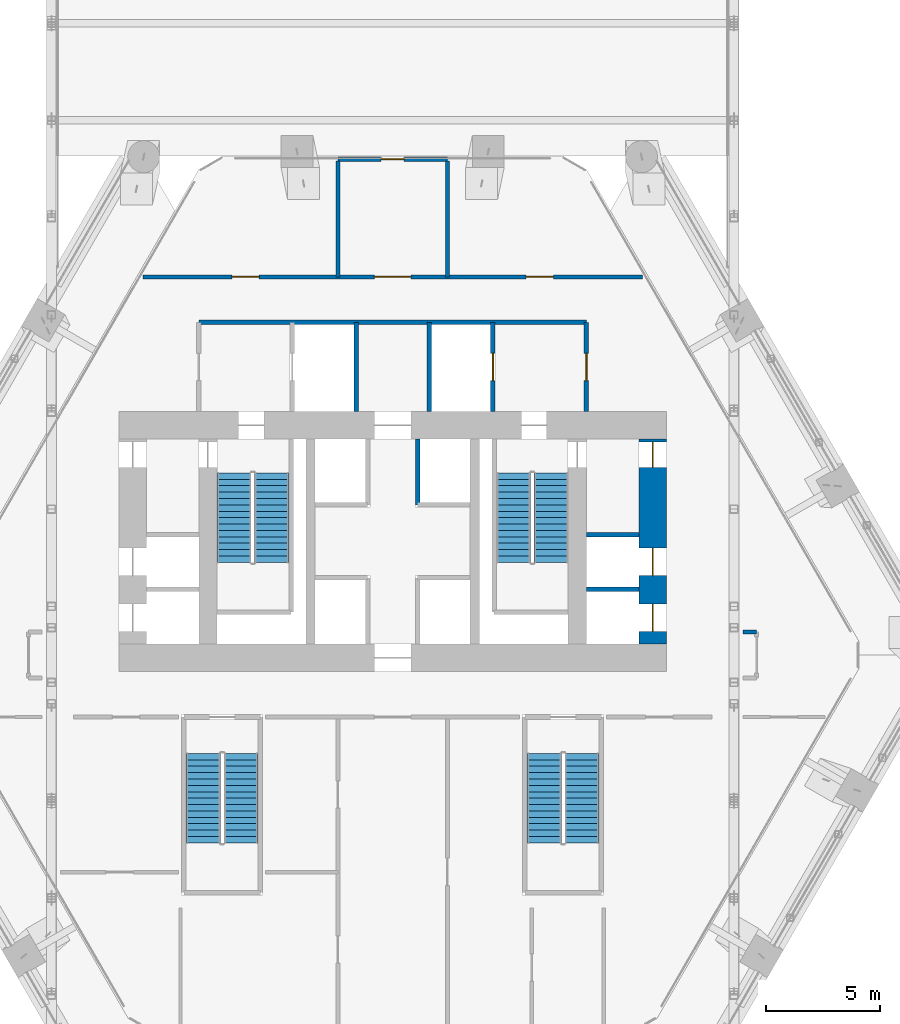
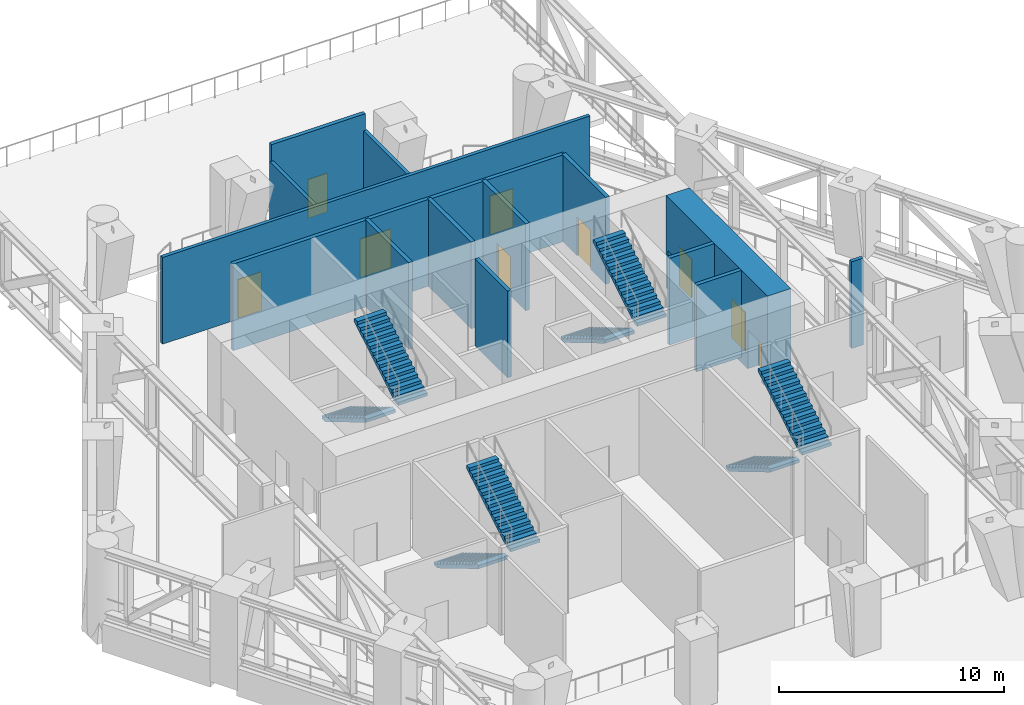
# One storey, part 10 of 20: 14 walls, 9 doors, 8 stair flights, 9 openings, 4 elements without a shape of their own.
"""IFC4 building model written with IfcOpenShell, lengths in metres."""

import ifcopenshell
import ifcopenshell.guid

model = None  # the IFC model being written
_history = None  # IfcOwnerHistory: only IFC2X3 demands one
_inside = {}  # id of a spatial element -> (the spatial element, [elements in it])
_under = {}  # id of a project, library or spatial element -> (it, [spatial elements below it])
_declared = {}  # id of a project -> (the project, [libraries it declares])
_typed = {}  # id of a type object -> (the type object, [elements of that type])
_made_of = {}  # id of a material, layer set ... -> (it, [elements and type objects made of it])


def new_model(schema):
    """Start an empty IFC model of exactly this schema.

    Asked for "IFC4X3", IfcOpenShell would pick the latest addendum, in which some entities
    have other attributes; the version numbers below select the first issue.
    IFC2X3 requires an IfcOwnerHistory on every rooted entity: one is made here for all.
    """
    global model, _history
    if schema == "IFC4X3":
        model = ifcopenshell.file(schema_version=(4, 3, 0, 0))
    else:
        model = ifcopenshell.file(schema=schema)
    _inside.clear()
    _under.clear()
    _declared.clear()
    _typed.clear()
    _made_of.clear()
    _history = None
    if model.schema == "IFC2X3":
        org = make("IfcOrganization", Name="unknown")
        user = make(
            "IfcPersonAndOrganization",
            ThePerson=make("IfcPerson", FamilyName="unknown"),
            TheOrganization=org,
        )
        app = make(
            "IfcApplication",
            ApplicationDeveloper=org,
            Version="unknown",
            ApplicationFullName="unknown",
            ApplicationIdentifier="unknown",
        )
        _history = make(
            "IfcOwnerHistory",
            OwningUser=user,
            OwningApplication=app,
            ChangeAction="ADDED",
            CreationDate=0,
        )
    return model


def make(cls, **values):
    """One entity of the class cls with the attributes given. An attribute that is None is left unset."""
    return model.create_entity(
        cls, **{name: value for name, value in values.items() if value is not None}
    )


def rooted(cls, **values):
    """An entity with a GlobalId (a new one), such as an element, a storey or a relation."""
    return make(cls, GlobalId=ifcopenshell.guid.new(), OwnerHistory=_history, **values)


def si_unit(unit_type, name, prefix=None):
    """IfcSIUnit, for example si_unit("LENGTHUNIT", "METRE", prefix="MILLI")."""
    return make("IfcSIUnit", UnitType=unit_type, Prefix=prefix, Name=name)


def assignment(units):
    """IfcUnitAssignment: the units of a project."""
    return None if units is None else make("IfcUnitAssignment", Units=units)


def point(xyz):
    """IfcCartesianPoint."""
    return None if xyz is None else make("IfcCartesianPoint", Coordinates=xyz)


def direction(xyz):
    """IfcDirection."""
    return None if xyz is None else make("IfcDirection", DirectionRatios=xyz)


def frame(location, z_axis=None, x_axis=None):
    """IfcAxis2Placement3D, a coordinate frame: its origin and axes. An axis left out is left unset."""
    return make(
        "IfcAxis2Placement3D",
        Location=point(location),
        Axis=direction(z_axis),
        RefDirection=direction(x_axis),
    )


def frame_2d(location, x_axis=None):
    """IfcAxis2Placement2D, a coordinate frame in the plane: its origin and x axis."""
    return make(
        "IfcAxis2Placement2D", Location=point(location), RefDirection=direction(x_axis)
    )


def origin():
    """The frame at (0, 0, 0) with its axes left unset."""
    return frame((0.0, 0.0, 0.0))


def place(relative_to, where):
    """IfcLocalPlacement: puts the frame where relative to a parent placement (None: the world)."""
    return make(
        "IfcLocalPlacement", PlacementRelTo=relative_to, RelativePlacement=where
    )


def context(
    kind, dimensions, precision=None, world=None, true_north=None, identifier=None
):
    """IfcGeometricRepresentationContext, for example the 3D "Model" context."""
    return make(
        "IfcGeometricRepresentationContext",
        ContextIdentifier=identifier,
        ContextType=kind,
        CoordinateSpaceDimension=dimensions,
        Precision=precision,
        WorldCoordinateSystem=world,
        TrueNorth=true_north,
    )


def subcontext(parent, identifier, kind, view, scale=None):
    """IfcGeometricRepresentationSubContext, for example "Body" below "Model"."""
    return make(
        "IfcGeometricRepresentationSubContext",
        ContextIdentifier=identifier,
        ContextType=kind,
        ParentContext=parent,
        TargetScale=scale,
        TargetView=view,
    )


def project(units=None, contexts=None):
    """IfcProject with its units and contexts."""
    return rooted(
        "IfcProject",
        Name="project",
        RepresentationContexts=contexts,
        UnitsInContext=assignment(units),
    )


def spatial(cls, under=None, at=None, **own):
    """A site, building, storey or space (cls), placed at a placement, below another one or the project."""
    s = rooted(cls, ObjectPlacement=at, **own)
    if under is not None:
        _under.setdefault(under.id(), (under, []))[1].append(s)
    return s


def polyline(points):
    """IfcPolyline through the points."""
    return make("IfcPolyline", Points=[point(p) for p in points])


def profile(cls, at=None, kind="AREA", **sizes):
    """A parametric profile (cls). Its sizes go by their IFC names, for example OverallWidth=200.0."""
    return make(cls, ProfileType=kind, Position=at, **sizes)


def rectangle(**sizes):
    """IfcRectangleProfileDef."""
    return profile("IfcRectangleProfileDef", **sizes)


def outline(outer, holes=None, kind="AREA"):
    """IfcArbitraryClosedProfileDef: a profile drawn as a closed curve; with holes, ...WithVoids."""
    if holes is None:
        return make("IfcArbitraryClosedProfileDef", ProfileType=kind, OuterCurve=outer)
    return make(
        "IfcArbitraryProfileDefWithVoids",
        ProfileType=kind,
        OuterCurve=outer,
        InnerCurves=holes,
    )


def extrude(swept, where, along, depth):
    """IfcExtrudedAreaSolid: the profile swept, set in the frame where, extruded along a direction by depth."""
    return make(
        "IfcExtrudedAreaSolid",
        SweptArea=swept,
        Position=where,
        ExtrudedDirection=direction(along),
        Depth=depth,
    )


def shape(context_of_items, identifier, shape_type, items):
    """IfcShapeRepresentation: the items that make up one representation, for example the "Body"."""
    return make(
        "IfcShapeRepresentation",
        ContextOfItems=context_of_items,
        RepresentationIdentifier=identifier,
        RepresentationType=shape_type,
        Items=items,
    )


def material(Name=None, Category=None):
    """IfcMaterial."""
    return make("IfcMaterial", Name=Name, Category=Category)


def layer(
    of_material, thickness, ventilated=None, Name=None, Category=None, Priority=None
):
    """IfcMaterialLayer: one layer of a wall or slab, of a material (None: an air gap)."""
    return make(
        "IfcMaterialLayer",
        Material=of_material,
        LayerThickness=thickness,
        IsVentilated=ventilated,
        Name=Name,
        Category=Category,
        Priority=Priority,
    )


def layer_set(layers, Name=None):
    """IfcMaterialLayerSet."""
    return make("IfcMaterialLayerSet", MaterialLayers=layers, LayerSetName=Name)


def made_of(thing, what):
    """Note that an element or type object is made of a material, layer set ...; save() writes the relation."""
    if what is not None:
        _made_of.setdefault(what.id(), (what, []))[1].append(thing)
    return thing


def type_object(cls, material=None, **own):
    """A type object (cls), such as IfcWallType, which elements share."""
    return made_of(rooted(cls, **own), material)


def element(
    cls,
    number,
    at=None,
    inside=None,
    cuts=None,
    type_object=None,
    material=None,
    context=None,
    identifier="Body",
    shape_type=None,
    held_by="IfcProductDefinitionShape",
    body=None,
    shapes=None,
    **own,
):
    """One element of the class cls, such as IfcWall. Its Tag is "e" and its number.

    at: its placement. inside: the storey or other place that contains it. cuts: it is an
    opening in that element (IfcRelVoidsElement). A single representation is given by context,
    identifier, shape_type and body (its items); several are given by shapes. held_by: the class
    of the entity that holds the representations. save() writes the other relations.
    """
    e = rooted(cls, Tag="e%d" % number, ObjectPlacement=at, **own)
    if body is not None:
        shapes = [shape(context, identifier, shape_type, body)]
    if shapes is not None:
        e.Representation = make(held_by, Representations=shapes)
    if inside is not None:
        _inside.setdefault(inside.id(), (inside, []))[1].append(e)
    if cuts is not None:
        rooted(
            "IfcRelVoidsElement", RelatingBuildingElement=cuts, RelatedOpeningElement=e
        )
    if type_object is not None:
        _typed.setdefault(type_object.id(), (type_object, []))[1].append(e)
    return made_of(e, material)


def fill(opening, filler):
    """IfcRelFillsElement: the door or window that sits in an opening."""
    return rooted(
        "IfcRelFillsElement",
        RelatingOpeningElement=opening,
        RelatedBuildingElement=filler,
    )


def aggregate(whole, parts):
    """IfcRelAggregates: a whole, such as a stair, and the parts it consists of."""
    return rooted("IfcRelAggregates", RelatingObject=whole, RelatedObjects=parts)


def save(model, path):
    """Write the relations noted so far, then the file.

    IfcRelAggregates (storeys below a building ...), IfcRelContainedInSpatialStructure (elements
    in a storey), IfcRelDefinesByType, IfcRelAssociatesMaterial and IfcRelDeclares: one each for
    every whole, place, type object, material and project.
    """
    for whole, parts in _under.values():
        aggregate(whole, parts)
    for where, things in _inside.values():
        rooted(
            "IfcRelContainedInSpatialStructure",
            RelatedElements=things,
            RelatingStructure=where,
        )
    for kind, things in _typed.values():
        rooted("IfcRelDefinesByType", RelatedObjects=things, RelatingType=kind)
    for what, things in _made_of.values():
        rooted("IfcRelAssociatesMaterial", RelatedObjects=things, RelatingMaterial=what)
    for by, libraries in _declared.values():
        rooted("IfcRelDeclares", RelatingContext=by, RelatedDefinitions=libraries)
    model.write(path)


model = new_model("IFC4")

# Units and contexts
model_context = context("Model", 3, precision=1e-05, world=origin(), true_north=direction((0.0, 1.0)))
body_context = subcontext(model_context, "Body", "Model", "MODEL_VIEW")
ifc_project = project(units=[si_unit("LENGTHUNIT", "METRE"), si_unit("AREAUNIT", "SQUARE_METRE"), si_unit("VOLUMEUNIT", "CUBIC_METRE"), si_unit("PLANEANGLEUNIT", "RADIAN"), si_unit("MASSUNIT", "GRAM", prefix="KILO")], contexts=[model_context])

# Site, building, storey
site_placement = place(None, origin())
site = spatial("IfcSite", under=ifc_project, at=site_placement, CompositionType="ELEMENT")
building_placement = place(site_placement, origin())
building = spatial("IfcBuilding", under=site, at=building_placement, Name="Ostrander Bayou Hotel Tower", CompositionType="ELEMENT")
storey_placement = place(building_placement, frame((0.0, 0.0, 80.5)))
storey = spatial("IfcBuildingStorey", under=building, at=storey_placement, Name="L20", CompositionType="ELEMENT", Elevation=80.5)

# Wall, openings, doors
ifc_material_1 = material(Name="Concrete f'c 70 MPa", Category="concrete")
ifc_layer_1 = layer(ifc_material_1, 1.199951171875)
ifc_layer_set_1 = layer_set([ifc_layer_1], Name="CW1 core wall 1200 mm f'c 70 MPa")
wall_type_1 = type_object("IfcWallType", Name="CW1 core wall 1200 mm f'c 70 MPa", PredefinedType="SHEAR", material=ifc_layer_set_1)
wall_1_placement = place(storey_placement, frame((11.39990234375, -0.5, -0.300048828125), z_axis=(0.0, 0.0, 1.0), x_axis=(0.0, 1.0, 0.0)))
wall_1 = element("IfcWall", 1, at=wall_1_placement, inside=storey, type_object=wall_type_1, Name="CW1 L20 RE", PredefinedType="SHEAR", context=body_context, shape_type="SweptSolid", body=[
    extrude(rectangle(XDim=9.0, YDim=1.199951171875, at=frame_2d((4.5, 0.0))), origin(), (0.0, 0.0, 1.0), 5.0),
])
opening_1_placement = place(wall_1_placement, frame((7.75, 0.0, 0.0)))
opening_1 = element("IfcOpeningElement", 2, at=opening_1_placement, cuts=wall_1, Name="Opening T20-016", PredefinedType="OPENING", context=body_context, shape_type="SweptSolid", body=[
    extrude(rectangle(XDim=1.10009765625, YDim=2.10009765625, at=frame_2d((0.550048828125, 1.050048828125))), frame((0.0, 0.60009765625, 0.0), z_axis=(0.0, -1.0, 0.0), x_axis=(1.0, 0.0, 0.0)), (0.0, 0.0, 1.0), 1.199951171875),
])
opening_2_placement = place(wall_1_placement, frame((0.550048828125, 0.0, 0.0)))
opening_2 = element("IfcOpeningElement", 3, at=opening_2_placement, cuts=wall_1, Name="Opening T20-017", PredefinedType="OPENING", context=body_context, shape_type="SweptSolid", body=[
    extrude(rectangle(XDim=1.199951171875, YDim=2.10009765625, at=frame_2d((0.60009765625, 1.050048828125))), frame((0.0, 0.60009765625, 0.0), z_axis=(0.0, -1.0, 0.0), x_axis=(1.0, 0.0, 0.0)), (0.0, 0.0, 1.0), 1.199951171875),
])
opening_3_placement = place(wall_1_placement, frame((3.0, 0.0, 0.0)))
opening_3 = element("IfcOpeningElement", 4, at=opening_3_placement, cuts=wall_1, Name="Opening T20-018", PredefinedType="OPENING", context=body_context, shape_type="SweptSolid", body=[
    extrude(rectangle(XDim=1.199951171875, YDim=2.10009765625, at=frame_2d((0.60009765625, 1.050048828125))), frame((0.0, 0.60009765625, 0.0), z_axis=(0.0, -1.0, 0.0), x_axis=(1.0, 0.0, 0.0)), (0.0, 0.0, 1.0), 1.199951171875),
])
ifc_material_2 = material(Name="Timber door leaf", Category="wood")
door_type_1 = type_object("IfcDoorType", Name="D5 stair door 1100 x 2100 mm, 90 minute", OperationType="SINGLE_SWING_LEFT", PredefinedType="DOOR", material=ifc_material_2)
door_1_placement = place(opening_1_placement, origin())
door_1 = element("IfcDoor", 5, at=door_1_placement, inside=storey, type_object=door_type_1, Name="dr:L20:016", OperationType="SINGLE_SWING_RIGHT", OverallHeight=2.10009765625, OverallWidth=1.10009765625, PredefinedType="DOOR", context=body_context, shape_type="SweptSolid", body=[
    extrude(rectangle(XDim=1.10009765625, YDim=2.10009765625, at=frame_2d((0.550048828125, 1.050048828125))), frame((0.0, 0.02490234375, 0.0), z_axis=(0.0, -1.0, 0.0), x_axis=(1.0, 0.0, 0.0)), (0.0, 0.0, 1.0), 0.050048828125),
])
fill(opening_1, door_1)
ifc_material_3 = material(Name="Stainless steel sliding door", Category="steel")
door_type_2 = type_object("IfcDoorType", Name="LD1 lift landing door 1200 x 2100 mm", OperationType="SINGLE_SWING_LEFT", PredefinedType="DOOR", material=ifc_material_3)
door_2_placement = place(opening_2_placement, origin())
door_2 = element("IfcDoor", 6, at=door_2_placement, inside=storey, type_object=door_type_2, Name="dr:L20:017", OperationType="SLIDING_TO_LEFT", OverallHeight=2.10009765625, OverallWidth=1.199951171875, PredefinedType="DOOR", context=body_context, shape_type="SweptSolid", body=[
    extrude(rectangle(XDim=1.199951171875, YDim=2.10009765625, at=frame_2d((0.60009765625, 1.050048828125))), frame((0.0, 0.02490234375, 0.0), z_axis=(0.0, -1.0, 0.0), x_axis=(1.0, 0.0, 0.0)), (0.0, 0.0, 1.0), 0.050048828125),
])
fill(opening_2, door_2)
door_3_placement = place(opening_3_placement, origin())
door_3 = element("IfcDoor", 7, at=door_3_placement, inside=storey, type_object=door_type_2, Name="dr:L20:018", OperationType="SLIDING_TO_LEFT", OverallHeight=2.10009765625, OverallWidth=1.199951171875, PredefinedType="DOOR", context=body_context, shape_type="SweptSolid", body=[
    extrude(rectangle(XDim=1.199951171875, YDim=2.10009765625, at=frame_2d((0.60009765625, 1.050048828125))), frame((0.0, 0.02490234375, 0.0), z_axis=(0.0, -1.0, 0.0), x_axis=(1.0, 0.0, 0.0)), (0.0, 0.0, 1.0), 0.050048828125),
])
fill(opening_3, door_3)

# Wall
ifc_material_4 = material(Name="Gypsum board partition", Category="finish")
ifc_layer_2 = layer(ifc_material_4, 0.175048828125)
ifc_layer_set_2 = layer_set([ifc_layer_2], Name="PT4 corridor wall 175 mm, 1 hour")
wall_type_2 = type_object("IfcWallType", Name="PT4 corridor wall 175 mm, 1 hour", PredefinedType="PARTITIONING", material=ifc_layer_set_2)
wall_2_placement = place(storey_placement, frame((15.364990234375, 0.01806640625, 0.0), z_axis=(0.0, 0.0, 1.0), x_axis=(1.0, 0.0, 0.0)))
element("IfcWall", 8, at=wall_2_placement, inside=storey, type_object=wall_type_2, Name="sw:L20:007", PredefinedType="PARTITIONING", context=body_context, shape_type="SweptSolid", body=[
    extrude(rectangle(XDim=0.60009765625, YDim=0.175048828125, at=frame_2d((0.300048828125, 0.0))), origin(), (0.0, 0.0, 1.0), 4.699951171875),
])

# Wall, openings, doors
wall_3_placement = place(storey_placement, frame((-10.955810546875, 15.60009765625, 0.0), z_axis=(0.0, 0.0, 1.0), x_axis=(1.0, 0.0, 0.0)))
wall_3 = element("IfcWall", 9, at=wall_3_placement, inside=storey, type_object=wall_type_2, Name="sw:L20:008", PredefinedType="PARTITIONING", context=body_context, shape_type="SweptSolid", body=[
    extrude(rectangle(XDim=21.91162109375, YDim=0.175048828125, at=frame_2d((10.955810546875, 0.0))), origin(), (0.0, 0.0, 1.0), 4.699951171875),
])
opening_4_placement = place(wall_3_placement, frame((10.156005859375, 0.0, 0.0)))
opening_4 = element("IfcOpeningElement", 10, at=opening_4_placement, cuts=wall_3, Name="Opening T20-201", PredefinedType="OPENING", context=body_context, shape_type="SweptSolid", body=[
    extrude(rectangle(XDim=1.60009765625, YDim=2.10009765625, at=frame_2d((0.800048828125, 1.050048828125))), frame((0.0, 0.08740234375, 0.0), z_axis=(0.0, -1.0, 0.0), x_axis=(1.0, 0.0, 0.0)), (0.0, 0.0, 1.0), 0.175048828125),
])
opening_5_placement = place(wall_3_placement, frame((3.906005859375, 0.0, 0.0)))
opening_5 = element("IfcOpeningElement", 11, at=opening_5_placement, cuts=wall_3, Name="Opening T20-213", PredefinedType="OPENING", context=body_context, shape_type="SweptSolid", body=[
    extrude(rectangle(XDim=1.199951171875, YDim=2.10009765625, at=frame_2d((0.60009765625, 1.050048828125))), frame((0.0, 0.08740234375, 0.0), z_axis=(0.0, -1.0, 0.0), x_axis=(1.0, 0.0, 0.0)), (0.0, 0.0, 1.0), 0.175048828125),
])
opening_6_placement = place(wall_3_placement, frame((16.805908203125, 0.0, 0.0)))
opening_6 = element("IfcOpeningElement", 12, at=opening_6_placement, cuts=wall_3, Name="Opening T20-214", PredefinedType="OPENING", context=body_context, shape_type="SweptSolid", body=[
    extrude(rectangle(XDim=1.199951171875, YDim=2.10009765625, at=frame_2d((0.60009765625, 1.050048828125))), frame((0.0, 0.08740234375, 0.0), z_axis=(0.0, -1.0, 0.0), x_axis=(1.0, 0.0, 0.0)), (0.0, 0.0, 1.0), 0.175048828125),
])
ifc_material_5 = material(Name="Timber door leaf", Category="wood")
door_type_3 = type_object("IfcDoorType", Name="D10 plant room door 1200 x 2100 mm, 1 hour", OperationType="SINGLE_SWING_LEFT", PredefinedType="DOOR", material=ifc_material_5)
door_4_placement = place(opening_5_placement, origin())
door_4 = element("IfcDoor", 13, at=door_4_placement, inside=storey, type_object=door_type_3, Name="dr:L20:213", OperationType="SINGLE_SWING_LEFT", OverallHeight=2.10009765625, OverallWidth=1.199951171875, PredefinedType="DOOR", context=body_context, shape_type="SweptSolid", body=[
    extrude(rectangle(XDim=1.199951171875, YDim=2.10009765625, at=frame_2d((0.60009765625, 1.050048828125))), frame((0.0, 0.02490234375, 0.0), z_axis=(0.0, -1.0, 0.0), x_axis=(1.0, 0.0, 0.0)), (0.0, 0.0, 1.0), 0.050048828125),
])
fill(opening_5, door_4)
door_5_placement = place(opening_6_placement, origin())
door_5 = element("IfcDoor", 14, at=door_5_placement, inside=storey, type_object=door_type_3, Name="dr:L20:214", OperationType="SINGLE_SWING_RIGHT", OverallHeight=2.10009765625, OverallWidth=1.199951171875, PredefinedType="DOOR", context=body_context, shape_type="SweptSolid", body=[
    extrude(rectangle(XDim=1.199951171875, YDim=2.10009765625, at=frame_2d((0.60009765625, 1.050048828125))), frame((0.0, 0.02490234375, 0.0), z_axis=(0.0, -1.0, 0.0), x_axis=(1.0, 0.0, 0.0)), (0.0, 0.0, 1.0), 0.050048828125),
])
fill(opening_6, door_5)
ifc_material_6 = material(Name="Timber door leaf", Category="wood")
door_type_4 = type_object("IfcDoorType", Name="D13 double door 1600 x 2100 mm, 1 hour", OperationType="SINGLE_SWING_LEFT", PredefinedType="DOOR", material=ifc_material_6)
door_6_placement = place(opening_4_placement, origin())
door_6 = element("IfcDoor", 15, at=door_6_placement, inside=storey, type_object=door_type_4, Name="dr:L20:201", OperationType="DOUBLE_DOOR_SINGLE_SWING", OverallHeight=2.10009765625, OverallWidth=1.60009765625, PredefinedType="DOOR", context=body_context, shape_type="SweptSolid", body=[
    extrude(rectangle(XDim=1.60009765625, YDim=2.10009765625, at=frame_2d((0.800048828125, 1.050048828125))), frame((0.0, 0.02490234375, 0.0), z_axis=(0.0, -1.0, 0.0), x_axis=(1.0, 0.0, 0.0)), (0.0, 0.0, 1.0), 0.050048828125),
])
fill(opening_4, door_6)

# Walls
for number, where, z_axis, x_axis, name in (
    (16, (-2.39990234375, 15.60009765625, 0.0), (0.0, 0.0, 1.0), (0.0, 1.0, 0.0), "sw:L20:011"),
    (17, (2.39990234375, 15.60009765625, 0.0), (0.0, 0.0, 1.0), (0.0, 1.0, 0.0), "sw:L20:013"),
):
    element("IfcWall", number, at=place(storey_placement, frame(where, z_axis=z_axis, x_axis=x_axis)), inside=storey, type_object=wall_type_2, Name=name, PredefinedType="PARTITIONING", context=body_context, shape_type="SweptSolid", body=[
        extrude(rectangle(XDim=5.06982421875, YDim=0.175048828125, at=frame_2d((2.534912109375, 0.0))), origin(), (0.0, 0.0, 1.0), 3.800048828125),
    ])
ifc_material_7 = material(Name="Masonry block", Category="masonry")
ifc_layer_3 = layer(ifc_material_7, 0.199951171875)
ifc_layer_set_3 = layer_set([ifc_layer_3], Name="PT5 stair enclosure wall 200 mm masonry, 2 hour")
wall_type_3 = type_object("IfcWallType", Name="PT5 stair enclosure wall 200 mm masonry, 2 hour", PredefinedType="PARTITIONING", material=ifc_layer_set_3)
wall_4_placement = place(storey_placement, frame((-8.5, 13.60009765625, 0.0), z_axis=(0.0, 0.0, 1.0), x_axis=(1.0, 0.0, 0.0)))
element("IfcWall", 18, at=wall_4_placement, inside=storey, type_object=wall_type_3, Name="cs:L20:021", PredefinedType="PARTITIONING", context=body_context, shape_type="SweptSolid", body=[
    extrude(rectangle(XDim=17.0, YDim=0.199951171875, at=frame_2d((8.5, 0.0))), origin(), (0.0, 0.0, 1.0), 4.699951171875),
])

# Wall, opening, door
wall_5_placement = place(storey_placement, frame((8.5, 9.699951171875, 0.0), z_axis=(0.0, 0.0, 1.0), x_axis=(0.0, 1.0, 0.0)))
wall_5 = element("IfcWall", 19, at=wall_5_placement, inside=storey, type_object=wall_type_3, Name="cs:L20:023", PredefinedType="PARTITIONING", context=body_context, shape_type="SweptSolid", body=[
    extrude(rectangle(XDim=3.900146484375, YDim=0.199951171875, at=frame_2d((1.9501953125, 0.0))), origin(), (0.0, 0.0, 1.0), 4.699951171875),
])
opening_7_placement = place(wall_5_placement, frame((1.35009765625, 0.0, 0.0)))
opening_7 = element("IfcOpeningElement", 20, at=opening_7_placement, cuts=wall_5, Name="Opening T20-012", PredefinedType="OPENING", context=body_context, shape_type="SweptSolid", body=[
    extrude(rectangle(XDim=1.199951171875, YDim=2.10009765625, at=frame_2d((0.60009765625, 1.050048828125))), frame((0.0, 0.10009765625, 0.0), z_axis=(0.0, -1.0, 0.0), x_axis=(1.0, 0.0, 0.0)), (0.0, 0.0, 1.0), 0.199951171875),
])
ifc_material_8 = material(Name="Timber door leaf", Category="wood")
door_type_5 = type_object("IfcDoorType", Name="D7 lobby door 1200 x 2100 mm, 1 hour", OperationType="SINGLE_SWING_LEFT", PredefinedType="DOOR", material=ifc_material_8)
door_7_placement = place(opening_7_placement, origin())
door_7 = element("IfcDoor", 21, at=door_7_placement, inside=storey, type_object=door_type_5, Name="dr:L20:012", OperationType="SINGLE_SWING_LEFT", OverallHeight=2.10009765625, OverallWidth=1.199951171875, PredefinedType="DOOR", context=body_context, shape_type="SweptSolid", body=[
    extrude(rectangle(XDim=1.199951171875, YDim=2.10009765625, at=frame_2d((0.60009765625, 1.050048828125))), frame((0.0, 0.02490234375, 0.0), z_axis=(0.0, -1.0, 0.0), x_axis=(1.0, 0.0, 0.0)), (0.0, 0.0, 1.0), 0.050048828125),
])
fill(opening_7, door_7)

wall_6_placement = place(storey_placement, frame((4.39990234375, 9.699951171875, 0.0), z_axis=(0.0, 0.0, 1.0), x_axis=(0.0, 1.0, 0.0)))
wall_6 = element("IfcWall", 22, at=wall_6_placement, inside=storey, type_object=wall_type_3, Name="cs:L20:025", PredefinedType="PARTITIONING", context=body_context, shape_type="SweptSolid", body=[
    extrude(rectangle(XDim=3.900146484375, YDim=0.199951171875, at=frame_2d((1.9501953125, 0.0))), origin(), (0.0, 0.0, 1.0), 4.699951171875),
])
opening_8_placement = place(wall_6_placement, frame((1.35009765625, 0.0, 0.0)))
opening_8 = element("IfcOpeningElement", 23, at=opening_8_placement, cuts=wall_6, Name="Opening T20-011", PredefinedType="OPENING", context=body_context, shape_type="SweptSolid", body=[
    extrude(rectangle(XDim=1.199951171875, YDim=2.10009765625, at=frame_2d((0.60009765625, 1.050048828125))), frame((0.0, 0.10009765625, 0.0), z_axis=(0.0, -1.0, 0.0), x_axis=(1.0, 0.0, 0.0)), (0.0, 0.0, 1.0), 0.199951171875),
])
door_8_placement = place(opening_8_placement, origin())
door_8 = element("IfcDoor", 24, at=door_8_placement, inside=storey, type_object=door_type_2, Name="dr:L20:011", OperationType="SLIDING_TO_LEFT", OverallHeight=2.10009765625, OverallWidth=1.199951171875, PredefinedType="DOOR", context=body_context, shape_type="SweptSolid", body=[
    extrude(rectangle(XDim=1.199951171875, YDim=2.10009765625, at=frame_2d((0.60009765625, 1.050048828125))), frame((0.0, 0.02490234375, 0.0), z_axis=(0.0, -1.0, 0.0), x_axis=(1.0, 0.0, 0.0)), (0.0, 0.0, 1.0), 0.050048828125),
])
fill(opening_8, door_8)

# Walls
ifc_material_9 = material(Name="Masonry block", Category="masonry")
ifc_layer_4 = layer(ifc_material_9, 0.199951171875)
ifc_layer_set_4 = layer_set([ifc_layer_4], Name="PT6 lift shaft wall 200 mm masonry, 2 hour")
wall_type_4 = type_object("IfcWallType", Name="PT6 lift shaft wall 200 mm masonry, 2 hour", PredefinedType="PARTITIONING", material=ifc_layer_set_4)
wall_7_placement = place(storey_placement, frame((1.10009765625, 5.60009765625, 0.0), z_axis=(0.0, 0.0, 1.0), x_axis=(0.0, 1.0, 0.0)))
element("IfcWall", 25, at=wall_7_placement, inside=storey, type_object=wall_type_4, Name="cs:L20:008", PredefinedType="PARTITIONING", context=body_context, shape_type="SweptSolid", body=[
    extrude(rectangle(XDim=2.89990234375, YDim=0.199951171875, at=frame_2d((1.449951171875, 0.0))), origin(), (0.0, 0.0, 1.0), 4.699951171875),
])
for number, where, z_axis, x_axis, name in (
    (26, (-1.60009765625, 9.699951171875, 0.0), (0.0, 0.0, 1.0), (0.0, 1.0, 0.0), "cs:L20:026"),
    (27, (1.60009765625, 9.699951171875, 0.0), (0.0, 0.0, 1.0), (0.0, 1.0, 0.0), "cs:L20:027"),
):
    element("IfcWall", number, at=place(storey_placement, frame(where, z_axis=z_axis, x_axis=x_axis)), inside=storey, type_object=wall_type_4, Name=name, PredefinedType="PARTITIONING", context=body_context, shape_type="SweptSolid", body=[
        extrude(rectangle(XDim=3.900146484375, YDim=0.199951171875, at=frame_2d((1.9501953125, 0.0))), origin(), (0.0, 0.0, 1.0), 4.699951171875),
    ])
for number, where, z_axis, x_axis, name in (
    (28, (8.5, 1.89990234375, 0.0), (0.0, 0.0, 1.0), (1.0, 0.0, 0.0), "cs:L20:030"),
    (29, (8.5, 4.300048828125, 0.0), (0.0, 0.0, 1.0), (1.0, 0.0, 0.0), "cs:L20:031"),
):
    element("IfcWall", number, at=place(storey_placement, frame(where, z_axis=z_axis, x_axis=x_axis)), inside=storey, type_object=wall_type_4, Name=name, PredefinedType="PARTITIONING", context=body_context, shape_type="SweptSolid", body=[
        extrude(rectangle(XDim=2.300048828125, YDim=0.199951171875, at=frame_2d((1.14990234375, 0.0))), origin(), (0.0, 0.0, 1.0), 4.699951171875),
    ])

# Wall, opening, door
ifc_material_10 = material(Name="Masonry block", Category="masonry")
ifc_layer_5 = layer(ifc_material_10, 0.199951171875)
ifc_layer_set_5 = layer_set([ifc_layer_5], Name="PT9 exterior screen wall 200 mm masonry, 1 hour")
wall_type_5 = type_object("IfcWallType", Name="PT9 exterior screen wall 200 mm masonry, 1 hour", PredefinedType="PARTITIONING", material=ifc_layer_set_5)
wall_8_placement = place(storey_placement, frame((-2.39990234375, 20.75, 0.0), z_axis=(0.0, 0.0, 1.0), x_axis=(1.0, 0.0, 0.0)))
wall_8 = element("IfcWall", 30, at=wall_8_placement, inside=storey, type_object=wall_type_5, Name="sw:L20:023", PredefinedType="PARTITIONING", context=body_context, shape_type="SweptSolid", body=[
    extrude(rectangle(XDim=4.7998046875, YDim=0.199951171875, at=frame_2d((2.39990234375, 0.0))), origin(), (0.0, 0.0, 1.0), 4.699951171875),
])
opening_9_placement = place(wall_8_placement, frame((1.89990234375, 0.0, 0.0)))
opening_9 = element("IfcOpeningElement", 31, at=opening_9_placement, cuts=wall_8, Name="Opening T20-216", PredefinedType="OPENING", context=body_context, shape_type="SweptSolid", body=[
    extrude(rectangle(XDim=1.0, YDim=2.10009765625, at=frame_2d((0.5, 1.050048828125))), frame((0.0, 0.10009765625, 0.0), z_axis=(0.0, -1.0, 0.0), x_axis=(1.0, 0.0, 0.0)), (0.0, 0.0, 1.0), 0.199951171875),
])
ifc_material_11 = material(Name="Timber door leaf", Category="wood")
door_type_6 = type_object("IfcDoorType", Name="D4 corridor door 1000 x 2100 mm, 1 hour", OperationType="SINGLE_SWING_LEFT", PredefinedType="DOOR", material=ifc_material_11)
door_9_placement = place(opening_9_placement, origin())
door_9 = element("IfcDoor", 32, at=door_9_placement, inside=storey, type_object=door_type_6, Name="dr:L20:216", OperationType="SINGLE_SWING_LEFT", OverallHeight=2.10009765625, OverallWidth=1.0, PredefinedType="DOOR", context=body_context, shape_type="SweptSolid", body=[
    extrude(rectangle(XDim=1.0, YDim=2.10009765625, at=frame_2d((0.5, 1.050048828125))), frame((0.0, 0.02490234375, 0.0), z_axis=(0.0, -1.0, 0.0), x_axis=(1.0, 0.0, 0.0)), (0.0, 0.0, 1.0), 0.050048828125),
])
fill(opening_9, door_9)

# Stair, stair flights
ifc_material_12 = material(Name="Concrete f'c 45 MPa", Category="concrete")
stair_type = type_object("IfcStairType", Name="ST1 exit stair 1500 mm f'c 45 MPa", PredefinedType="HALF_TURN_STAIR", material=ifc_material_12)
stair_1_placement = place(storey_placement, origin())
stair_1 = element("IfcStair", 33, at=stair_1_placement, inside=storey, type_object=stair_type, Name="L20 exit stair A", PredefinedType="HALF_TURN_STAIR")
ifc_material_13 = material(Name="Concrete f'c 45 MPa", Category="concrete")
stair_flight_type = type_object("IfcStairFlightType", Name="SF1 stair flight 1500 mm f'c 45 MPa", PredefinedType="STRAIGHT", material=ifc_material_13)
stair_flight_1_placement = place(storey_placement, frame((-6.949951171875, 7.0, 0.0), z_axis=(0.0, 0.0, 1.0), x_axis=(0.0, -1.0, 0.0)))
stair_flight_1 = element("IfcStairFlight", 34, at=stair_flight_1_placement, type_object=stair_flight_type, Name="STA flight 1", NumberOfRisers=15, NumberOfTreads=14, PredefinedType="STRAIGHT", RiserHeight=0.166666667, TreadLength=0.28, context=body_context, shape_type="SweptSolid", body=[
    extrude(outline(polyline([(0.0, 0.0), (0.0, 0.166748046875), (0.280029296875, 0.166748046875), (0.280029296875, 0.333251953125), (0.56005859375, 0.333251953125), (0.56005859375, 0.5), (0.840087890625, 0.5), (0.840087890625, 0.666748046875), (1.1201171875, 0.666748046875), (1.1201171875, 0.833251953125), (1.39990234375, 0.833251953125), (1.39990234375, 1.0), (1.679931640625, 1.0), (1.679931640625, 1.166748046875), (1.9599609375, 1.166748046875), (1.9599609375, 1.333251953125), (2.239990234375, 1.333251953125), (2.239990234375, 1.5), (2.52001953125, 1.5), (2.52001953125, 1.666748046875), (2.800048828125, 1.666748046875), (2.800048828125, 1.833251953125), (3.080078125, 1.833251953125), (3.080078125, 2.0), (3.360107421875, 2.0), (3.360107421875, 2.166748046875), (3.639892578125, 2.166748046875), (3.639892578125, 2.333251953125), (3.919921875, 2.333251953125), (3.919921875, 2.5), (3.919921875, 2.158935546875), (0.29296875, 0.0), (0.0, 0.0)])), frame((0.0, 0.75, 0.0), z_axis=(0.0, -1.0, 0.0), x_axis=(1.0, 0.0, 0.0)), (0.0, 0.0, 1.0), 1.5),
])
stair_flight_2_placement = place(storey_placement, frame((-5.300048828125, 3.080078125, 2.5), z_axis=(0.0, 0.0, 1.0), x_axis=(0.0, 1.0, 0.0)))
stair_flight_2 = element("IfcStairFlight", 35, at=stair_flight_2_placement, type_object=stair_flight_type, Name="STA flight 2", NumberOfRisers=15, NumberOfTreads=14, PredefinedType="STRAIGHT", RiserHeight=0.166666667, TreadLength=0.28, context=body_context, shape_type="SweptSolid", body=[
    extrude(outline(polyline([(0.0, 0.0), (0.0, 0.166748046875), (0.280029296875, 0.166748046875), (0.280029296875, 0.333251953125), (0.56005859375, 0.333251953125), (0.56005859375, 0.5), (0.840087890625, 0.5), (0.840087890625, 0.666748046875), (1.1201171875, 0.666748046875), (1.1201171875, 0.833251953125), (1.39990234375, 0.833251953125), (1.39990234375, 1.0), (1.679931640625, 1.0), (1.679931640625, 1.166748046875), (1.9599609375, 1.166748046875), (1.9599609375, 1.333251953125), (2.239990234375, 1.333251953125), (2.239990234375, 1.5), (2.52001953125, 1.5), (2.52001953125, 1.666748046875), (2.800048828125, 1.666748046875), (2.800048828125, 1.833251953125), (3.080078125, 1.833251953125), (3.080078125, 2.0), (3.360107421875, 2.0), (3.360107421875, 2.166748046875), (3.639892578125, 2.166748046875), (3.639892578125, 2.333251953125), (3.919921875, 2.333251953125), (3.919921875, 2.5), (3.919921875, 2.158935546875), (0.29296875, 0.0), (0.0, 0.0)])), frame((0.0, 0.75, 0.0), z_axis=(0.0, -1.0, 0.0), x_axis=(1.0, 0.0, 0.0)), (0.0, 0.0, 1.0), 1.5),
])
aggregate(stair_1, [stair_flight_1, stair_flight_2])

stair_2_placement = place(storey_placement, origin())
stair_2 = element("IfcStair", 36, at=stair_2_placement, inside=storey, type_object=stair_type, Name="L20 exit stair B", PredefinedType="HALF_TURN_STAIR")
stair_flight_3_placement = place(storey_placement, frame((5.300048828125, 7.0, 0.0), z_axis=(0.0, 0.0, 1.0), x_axis=(0.0, -1.0, 0.0)))
stair_flight_3 = element("IfcStairFlight", 37, at=stair_flight_3_placement, type_object=stair_flight_type, Name="STB flight 1", NumberOfRisers=15, NumberOfTreads=14, PredefinedType="STRAIGHT", RiserHeight=0.166666667, TreadLength=0.28, context=body_context, shape_type="SweptSolid", body=[
    extrude(outline(polyline([(0.0, 0.0), (0.0, 0.166748046875), (0.280029296875, 0.166748046875), (0.280029296875, 0.333251953125), (0.56005859375, 0.333251953125), (0.56005859375, 0.5), (0.840087890625, 0.5), (0.840087890625, 0.666748046875), (1.1201171875, 0.666748046875), (1.1201171875, 0.833251953125), (1.39990234375, 0.833251953125), (1.39990234375, 1.0), (1.679931640625, 1.0), (1.679931640625, 1.166748046875), (1.9599609375, 1.166748046875), (1.9599609375, 1.333251953125), (2.239990234375, 1.333251953125), (2.239990234375, 1.5), (2.52001953125, 1.5), (2.52001953125, 1.666748046875), (2.800048828125, 1.666748046875), (2.800048828125, 1.833251953125), (3.080078125, 1.833251953125), (3.080078125, 2.0), (3.360107421875, 2.0), (3.360107421875, 2.166748046875), (3.639892578125, 2.166748046875), (3.639892578125, 2.333251953125), (3.919921875, 2.333251953125), (3.919921875, 2.5), (3.919921875, 2.158935546875), (0.29296875, 0.0), (0.0, 0.0)])), frame((0.0, 0.75, 0.0), z_axis=(0.0, -1.0, 0.0), x_axis=(1.0, 0.0, 0.0)), (0.0, 0.0, 1.0), 1.5),
])
stair_flight_4_placement = place(storey_placement, frame((6.949951171875, 3.080078125, 2.5), z_axis=(0.0, 0.0, 1.0), x_axis=(0.0, 1.0, 0.0)))
stair_flight_4 = element("IfcStairFlight", 38, at=stair_flight_4_placement, type_object=stair_flight_type, Name="STB flight 2", NumberOfRisers=15, NumberOfTreads=14, PredefinedType="STRAIGHT", RiserHeight=0.166666667, TreadLength=0.28, context=body_context, shape_type="SweptSolid", body=[
    extrude(outline(polyline([(0.0, 0.0), (0.0, 0.166748046875), (0.280029296875, 0.166748046875), (0.280029296875, 0.333251953125), (0.56005859375, 0.333251953125), (0.56005859375, 0.5), (0.840087890625, 0.5), (0.840087890625, 0.666748046875), (1.1201171875, 0.666748046875), (1.1201171875, 0.833251953125), (1.39990234375, 0.833251953125), (1.39990234375, 1.0), (1.679931640625, 1.0), (1.679931640625, 1.166748046875), (1.9599609375, 1.166748046875), (1.9599609375, 1.333251953125), (2.239990234375, 1.333251953125), (2.239990234375, 1.5), (2.52001953125, 1.5), (2.52001953125, 1.666748046875), (2.800048828125, 1.666748046875), (2.800048828125, 1.833251953125), (3.080078125, 1.833251953125), (3.080078125, 2.0), (3.360107421875, 2.0), (3.360107421875, 2.166748046875), (3.639892578125, 2.166748046875), (3.639892578125, 2.333251953125), (3.919921875, 2.333251953125), (3.919921875, 2.5), (3.919921875, 2.158935546875), (0.29296875, 0.0), (0.0, 0.0)])), frame((0.0, 0.75, 0.0), z_axis=(0.0, -1.0, 0.0), x_axis=(1.0, 0.0, 0.0)), (0.0, 0.0, 1.0), 1.5),
])
aggregate(stair_2, [stair_flight_3, stair_flight_4])

stair_3_placement = place(storey_placement, origin())
stair_3 = element("IfcStair", 39, at=stair_3_placement, inside=storey, type_object=stair_type, Name="L20 exit stair C", PredefinedType="HALF_TURN_STAIR")
stair_flight_5_placement = place(storey_placement, frame((6.64990234375, -5.300048828125, 0.0), z_axis=(0.0, 0.0, 1.0), x_axis=(0.0, -1.0, 0.0)))
stair_flight_5 = element("IfcStairFlight", 40, at=stair_flight_5_placement, type_object=stair_flight_type, Name="STC flight 1", NumberOfRisers=15, NumberOfTreads=14, PredefinedType="STRAIGHT", RiserHeight=0.166666667, TreadLength=0.28, context=body_context, shape_type="SweptSolid", body=[
    extrude(outline(polyline([(0.0, 0.0), (0.0, 0.166748046875), (0.280029296875, 0.166748046875), (0.280029296875, 0.333251953125), (0.56005859375, 0.333251953125), (0.56005859375, 0.5), (0.840087890625, 0.5), (0.840087890625, 0.666748046875), (1.1201171875, 0.666748046875), (1.1201171875, 0.833251953125), (1.39990234375, 0.833251953125), (1.39990234375, 1.0), (1.679931640625, 1.0), (1.679931640625, 1.166748046875), (1.9599609375, 1.166748046875), (1.9599609375, 1.333251953125), (2.239990234375, 1.333251953125), (2.239990234375, 1.5), (2.52001953125, 1.5), (2.52001953125, 1.666748046875), (2.800048828125, 1.666748046875), (2.800048828125, 1.833251953125), (3.080078125, 1.833251953125), (3.080078125, 2.0), (3.360107421875, 2.0), (3.360107421875, 2.166748046875), (3.639892578125, 2.166748046875), (3.639892578125, 2.333251953125), (3.919921875, 2.333251953125), (3.919921875, 2.5), (3.919921875, 2.158935546875), (0.29296875, 0.0), (0.0, 0.0)])), frame((0.0, 0.75, 0.0), z_axis=(0.0, -1.0, 0.0), x_axis=(1.0, 0.0, 0.0)), (0.0, 0.0, 1.0), 1.5),
])
stair_flight_6_placement = place(storey_placement, frame((8.300048828125, -9.219970703125, 2.5), z_axis=(0.0, 0.0, 1.0), x_axis=(0.0, 1.0, 0.0)))
stair_flight_6 = element("IfcStairFlight", 41, at=stair_flight_6_placement, type_object=stair_flight_type, Name="STC flight 2", NumberOfRisers=15, NumberOfTreads=14, PredefinedType="STRAIGHT", RiserHeight=0.166666667, TreadLength=0.28, context=body_context, shape_type="SweptSolid", body=[
    extrude(outline(polyline([(0.0, 0.0), (0.0, 0.166748046875), (0.280029296875, 0.166748046875), (0.280029296875, 0.333251953125), (0.56005859375, 0.333251953125), (0.56005859375, 0.5), (0.840087890625, 0.5), (0.840087890625, 0.666748046875), (1.1201171875, 0.666748046875), (1.1201171875, 0.833251953125), (1.39990234375, 0.833251953125), (1.39990234375, 1.0), (1.679931640625, 1.0), (1.679931640625, 1.166748046875), (1.9599609375, 1.166748046875), (1.9599609375, 1.333251953125), (2.239990234375, 1.333251953125), (2.239990234375, 1.5), (2.52001953125, 1.5), (2.52001953125, 1.666748046875), (2.800048828125, 1.666748046875), (2.800048828125, 1.833251953125), (3.080078125, 1.833251953125), (3.080078125, 2.0), (3.360107421875, 2.0), (3.360107421875, 2.166748046875), (3.639892578125, 2.166748046875), (3.639892578125, 2.333251953125), (3.919921875, 2.333251953125), (3.919921875, 2.5), (3.919921875, 2.158935546875), (0.29296875, 0.0), (0.0, 0.0)])), frame((0.0, 0.75, 0.0), z_axis=(0.0, -1.0, 0.0), x_axis=(1.0, 0.0, 0.0)), (0.0, 0.0, 1.0), 1.5),
])
aggregate(stair_3, [stair_flight_5, stair_flight_6])

stair_4_placement = place(storey_placement, origin())
stair_4 = element("IfcStair", 42, at=stair_4_placement, inside=storey, type_object=stair_type, Name="L20 exit stair D", PredefinedType="HALF_TURN_STAIR")
stair_flight_7_placement = place(storey_placement, frame((-8.300048828125, -5.300048828125, 0.0), z_axis=(0.0, 0.0, 1.0), x_axis=(0.0, -1.0, 0.0)))
stair_flight_7 = element("IfcStairFlight", 43, at=stair_flight_7_placement, type_object=stair_flight_type, Name="STD flight 1", NumberOfRisers=15, NumberOfTreads=14, PredefinedType="STRAIGHT", RiserHeight=0.166666667, TreadLength=0.28, context=body_context, shape_type="SweptSolid", body=[
    extrude(outline(polyline([(0.0, 0.0), (0.0, 0.166748046875), (0.280029296875, 0.166748046875), (0.280029296875, 0.333251953125), (0.56005859375, 0.333251953125), (0.56005859375, 0.5), (0.840087890625, 0.5), (0.840087890625, 0.666748046875), (1.1201171875, 0.666748046875), (1.1201171875, 0.833251953125), (1.39990234375, 0.833251953125), (1.39990234375, 1.0), (1.679931640625, 1.0), (1.679931640625, 1.166748046875), (1.9599609375, 1.166748046875), (1.9599609375, 1.333251953125), (2.239990234375, 1.333251953125), (2.239990234375, 1.5), (2.52001953125, 1.5), (2.52001953125, 1.666748046875), (2.800048828125, 1.666748046875), (2.800048828125, 1.833251953125), (3.080078125, 1.833251953125), (3.080078125, 2.0), (3.360107421875, 2.0), (3.360107421875, 2.166748046875), (3.639892578125, 2.166748046875), (3.639892578125, 2.333251953125), (3.919921875, 2.333251953125), (3.919921875, 2.5), (3.919921875, 2.158935546875), (0.29296875, 0.0), (0.0, 0.0)])), frame((0.0, 0.75, 0.0), z_axis=(0.0, -1.0, 0.0), x_axis=(1.0, 0.0, 0.0)), (0.0, 0.0, 1.0), 1.5),
])
stair_flight_8_placement = place(storey_placement, frame((-6.64990234375, -9.219970703125, 2.5), z_axis=(0.0, 0.0, 1.0), x_axis=(0.0, 1.0, 0.0)))
stair_flight_8 = element("IfcStairFlight", 44, at=stair_flight_8_placement, type_object=stair_flight_type, Name="STD flight 2", NumberOfRisers=15, NumberOfTreads=14, PredefinedType="STRAIGHT", RiserHeight=0.166666667, TreadLength=0.28, context=body_context, shape_type="SweptSolid", body=[
    extrude(outline(polyline([(0.0, 0.0), (0.0, 0.166748046875), (0.280029296875, 0.166748046875), (0.280029296875, 0.333251953125), (0.56005859375, 0.333251953125), (0.56005859375, 0.5), (0.840087890625, 0.5), (0.840087890625, 0.666748046875), (1.1201171875, 0.666748046875), (1.1201171875, 0.833251953125), (1.39990234375, 0.833251953125), (1.39990234375, 1.0), (1.679931640625, 1.0), (1.679931640625, 1.166748046875), (1.9599609375, 1.166748046875), (1.9599609375, 1.333251953125), (2.239990234375, 1.333251953125), (2.239990234375, 1.5), (2.52001953125, 1.5), (2.52001953125, 1.666748046875), (2.800048828125, 1.666748046875), (2.800048828125, 1.833251953125), (3.080078125, 1.833251953125), (3.080078125, 2.0), (3.360107421875, 2.0), (3.360107421875, 2.166748046875), (3.639892578125, 2.166748046875), (3.639892578125, 2.333251953125), (3.919921875, 2.333251953125), (3.919921875, 2.5), (3.919921875, 2.158935546875), (0.29296875, 0.0), (0.0, 0.0)])), frame((0.0, 0.75, 0.0), z_axis=(0.0, -1.0, 0.0), x_axis=(1.0, 0.0, 0.0)), (0.0, 0.0, 1.0), 1.5),
])
aggregate(stair_4, [stair_flight_7, stair_flight_8])

save(model, "model.ifc")
